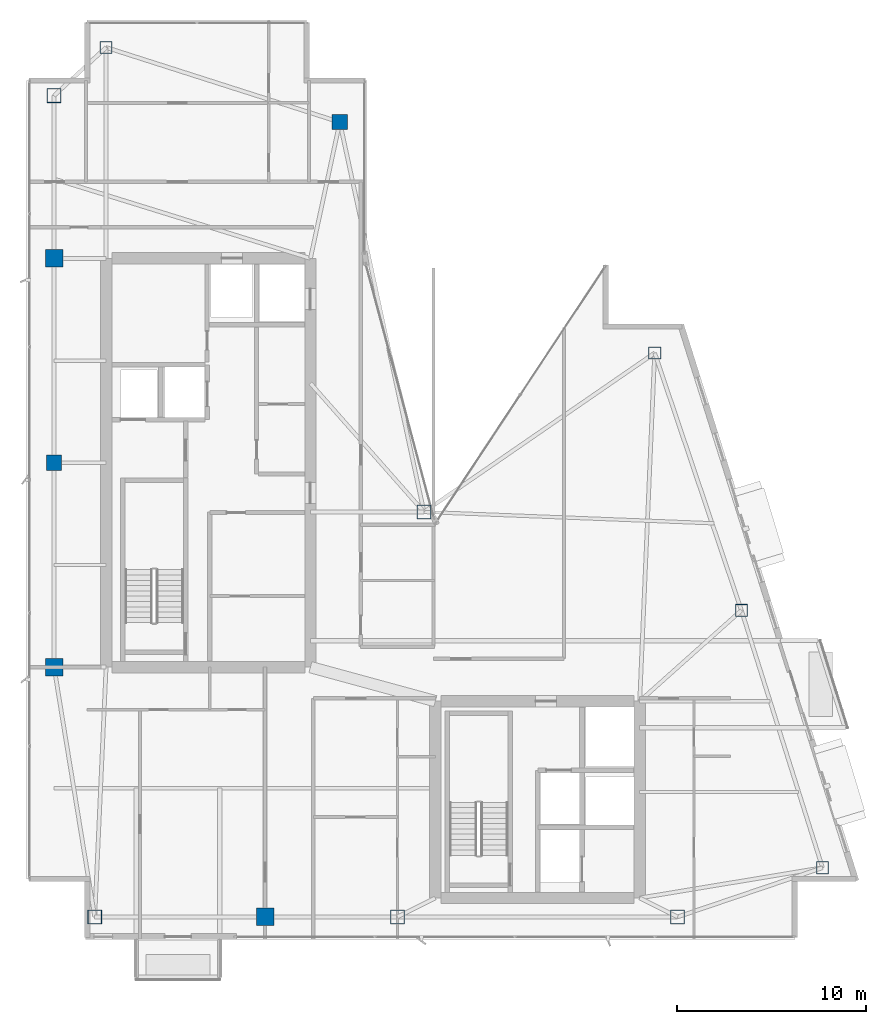
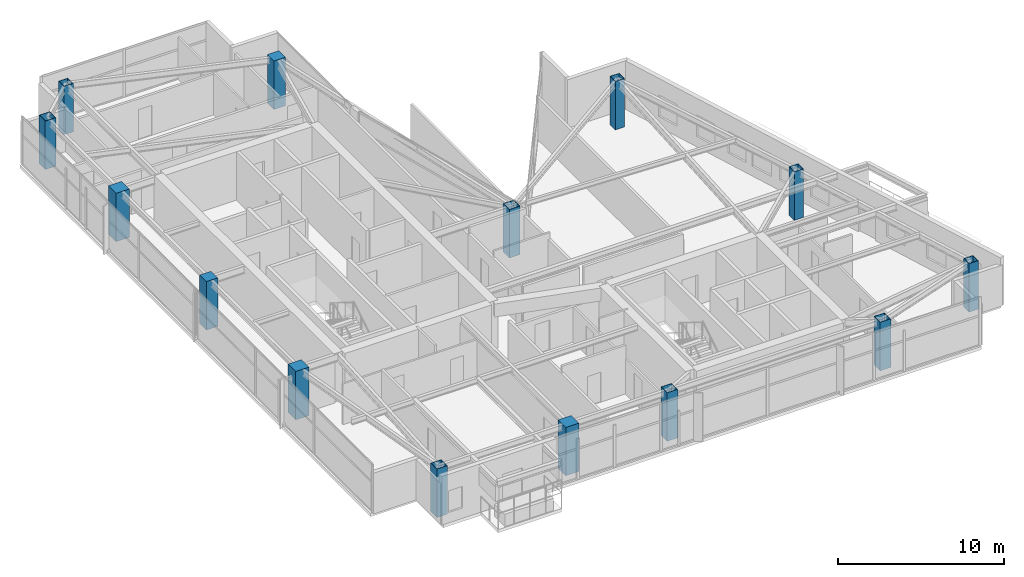
# One storey, part 1 of 28: 14 columns.
"""IFC4 building model written with IfcOpenShell, lengths in metres."""

from ifc_helpers import new_model, si_unit, direction, frame, origin, origin_2d, place, context, subcontext, project, spatial, rectangle, hollow_rectangle, extrude, material, material_profile, profile_set, type_object, element, save


model = new_model("IFC4")

# Units and contexts
model_context = context("Model", 3, precision=1e-05, world=origin(), true_north=direction((0.0, 1.0)))
body_context = subcontext(model_context, "Body", "Model", "MODEL_VIEW")
ifc_project = project(units=[si_unit("LENGTHUNIT", "METRE"), si_unit("AREAUNIT", "SQUARE_METRE"), si_unit("VOLUMEUNIT", "CUBIC_METRE"), si_unit("PLANEANGLEUNIT", "RADIAN"), si_unit("MASSUNIT", "GRAM", prefix="KILO")], contexts=[model_context])

# Site, building, storey
site_placement = place(None, origin())
site = spatial("IfcSite", under=ifc_project, at=site_placement, CompositionType="ELEMENT")
building_placement = place(site_placement, origin())
building = spatial("IfcBuilding", under=site, at=building_placement, Name="Calvorn Quay Hotel", CompositionType="ELEMENT")
storey_placement = place(building_placement, frame((0.0, 0.0, 271.10009765625)))
storey = spatial("IfcBuildingStorey", under=building, at=storey_placement, Name="L67", CompositionType="ELEMENT", Elevation=271.10009765625)

# Columns
ifc_material_1 = material(Name="Concrete C45", Category="concrete")
ifc_material_profile_1 = material_profile(ifc_material_1, rectangle(XDim=0.800048828125, YDim=0.800048828125, at=origin_2d()), Name="RC800x800")
ifc_profile_set_1 = profile_set([ifc_material_profile_1], Name="Concrete C45")
column_type_1 = type_object("IfcColumnType", Name="COL-RC-800", PredefinedType="COLUMN", material=ifc_profile_set_1)
for number, where, z_axis, x_axis, name in (
    (1, (1.449951171875, 27.60009765625, 0.0), (0.0, 0.0, 1.0), (1.0, 0.0, 0.0), "Column C-W3 (L67)"),
    (2, (16.550048828125, 45.60009765625, 0.0), (0.0, 0.0, 1.0), (1.0, 0.0, 0.0), "Column C-IC1 (L67)"),
):
    element("IfcColumn", number, at=place(storey_placement, frame(where, z_axis=z_axis, x_axis=x_axis)), inside=storey, type_object=column_type_1, Name=name, PredefinedType="COLUMN", context=body_context, shape_type="SweptSolid", body=[
        extrude(rectangle(XDim=0.800048828125, YDim=0.800048828125, at=origin_2d()), origin(), (0.0, 0.0, 1.0), 3.559814453125),
    ])
ifc_material_2 = material(Name="Concrete C45", Category="concrete")
ifc_material_profile_2 = material_profile(ifc_material_2, rectangle(XDim=0.919921875, YDim=0.919921875, at=origin_2d()), Name="RC920x920")
ifc_profile_set_2 = profile_set([ifc_material_profile_2], Name="Concrete C45")
column_type_2 = type_object("IfcColumnType", Name="COL-RC-920", PredefinedType="COLUMN", material=ifc_profile_set_2)
for number, where, z_axis, x_axis, name in (
    (3, (1.449951171875, 16.800048828125, 0.0), (0.0, 0.0, 1.0), (1.0, 0.0, 0.0), "Column C-W2 (L67)"),
    (4, (1.449951171875, 38.39990234375, 0.0), (0.0, 0.0, 1.0), (1.0, 0.0, 0.0), "Column C-W4 (L67)"),
    (5, (12.60009765625, 3.60009765625, 0.0), (0.0, 0.0, 1.0), (1.0, 0.0, 0.0), "Column C-S1 (L67)"),
):
    element("IfcColumn", number, at=place(storey_placement, frame(where, z_axis=z_axis, x_axis=x_axis)), inside=storey, type_object=column_type_2, Name=name, PredefinedType="COLUMN", context=body_context, shape_type="SweptSolid", body=[
        extrude(rectangle(XDim=0.919921875, YDim=0.919921875, at=origin_2d()), origin(), (0.0, 0.0, 1.0), 3.559814453125),
    ])
ifc_material_3 = material(Name="Steel Q390GJC", Category="steel")
ifc_material_profile_3 = material_profile(ifc_material_3, hollow_rectangle(XDim=0.75, YDim=0.75, WallThickness=0.031982421875, at=origin_2d()), Name="BOX750x750x32")
ifc_profile_set_3 = profile_set([ifc_material_profile_3], Name="Steel Q390GJC")
column_type_3 = type_object("IfcColumnType", Name="COL-STL-Z3", PredefinedType="COLUMN", material=ifc_profile_set_3)
for number, where, z_axis, x_axis, name in (
    (6, (3.60009765625, 3.60009765625, 0.0), (0.0, 0.0, 1.0), (1.0, 0.0, 0.0), "Column C-W1 (L67)"),
    (7, (1.449951171875, 47.0, 0.0), (0.0, 0.0, 1.0), (1.0, 0.0, 0.0), "Column C-W5 (L67)"),
    (8, (21.0, 25.0, 0.0), (0.0, 0.0, 1.0), (1.0, 0.0, 0.0), "Column C-IC2 (L67)"),
    (9, (19.60009765625, 3.60009765625, 0.0), (0.0, 0.0, 1.0), (1.0, 0.0, 0.0), "Column C-S2 (L67)"),
    (10, (34.39990234375, 3.60009765625, 0.0), (0.0, 0.0, 1.0), (1.0, 0.0, 0.0), "Column C-S3 (L67)"),
):
    element("IfcColumn", number, at=place(storey_placement, frame(where, z_axis=z_axis, x_axis=x_axis)), inside=storey, type_object=column_type_3, Name=name, PredefinedType="COLUMN", context=body_context, shape_type="SweptSolid", body=[
        extrude(hollow_rectangle(XDim=0.75, YDim=0.75, WallThickness=0.031982421875, at=origin_2d()), origin(), (0.0, 0.0, 1.0), 3.559814453125),
    ])
ifc_material_4 = material(Name="Steel Q355B", Category="steel")
ifc_material_profile_4 = material_profile(ifc_material_4, hollow_rectangle(XDim=0.64990234375, YDim=0.64990234375, WallThickness=0.028076171875, at=origin_2d()), Name="BOX650x650x28")
ifc_profile_set_4 = profile_set([ifc_material_profile_4], Name="Steel Q355B")
column_type_4 = type_object("IfcColumnType", Name="COL-STL-Z4", PredefinedType="COLUMN", material=ifc_profile_set_4)
for number, where, z_axis, x_axis, name in (
    (11, (4.199951171875, 49.550048828125, 0.0), (0.0, 0.0, 1.0), (1.0, 0.0, 0.0), "Column C-NW1 (L67)"),
    (12, (42.06103515625, 6.199951171875, 0.0), (0.0, 0.0, 1.0), (1.0, 0.0, 0.0), "Column C-ET1 (L67)"),
    (13, (37.77587890625, 19.800048828125, 0.0), (0.0, 0.0, 1.0), (1.0, 0.0, 0.0), "Column C-ET2 (L67)"),
    (14, (33.19091796875, 33.39990234375, 0.0), (0.0, 0.0, 1.0), (1.0, 0.0, 0.0), "Column C-ET3 (L67)"),
):
    element("IfcColumn", number, at=place(storey_placement, frame(where, z_axis=z_axis, x_axis=x_axis)), inside=storey, type_object=column_type_4, Name=name, PredefinedType="COLUMN", context=body_context, shape_type="SweptSolid", body=[
        extrude(hollow_rectangle(XDim=0.64990234375, YDim=0.64990234375, WallThickness=0.028076171875, at=origin_2d()), origin(), (0.0, 0.0, 1.0), 3.559814453125),
    ])

save(model, "model.ifc")
